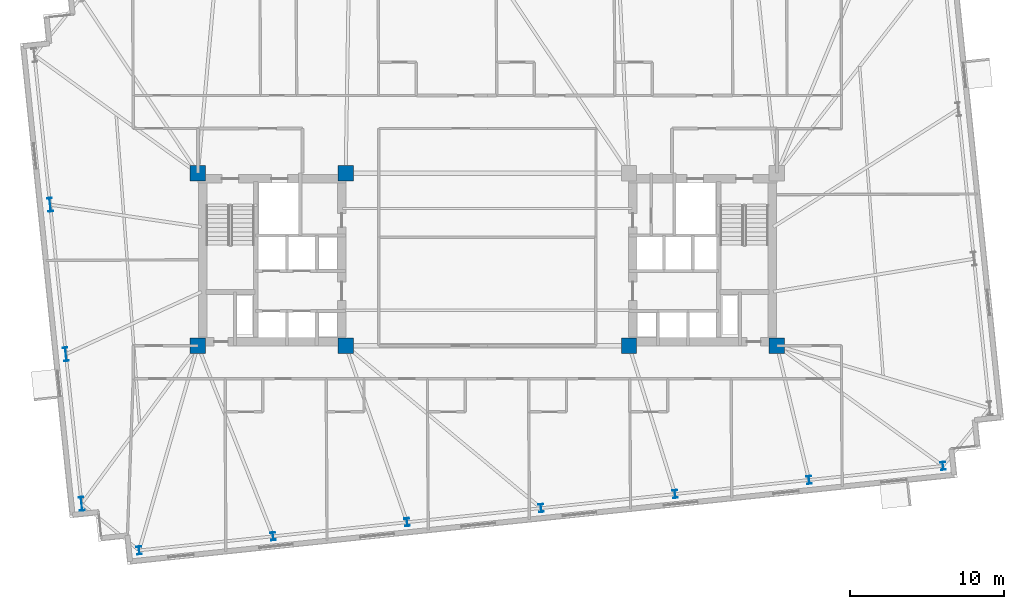
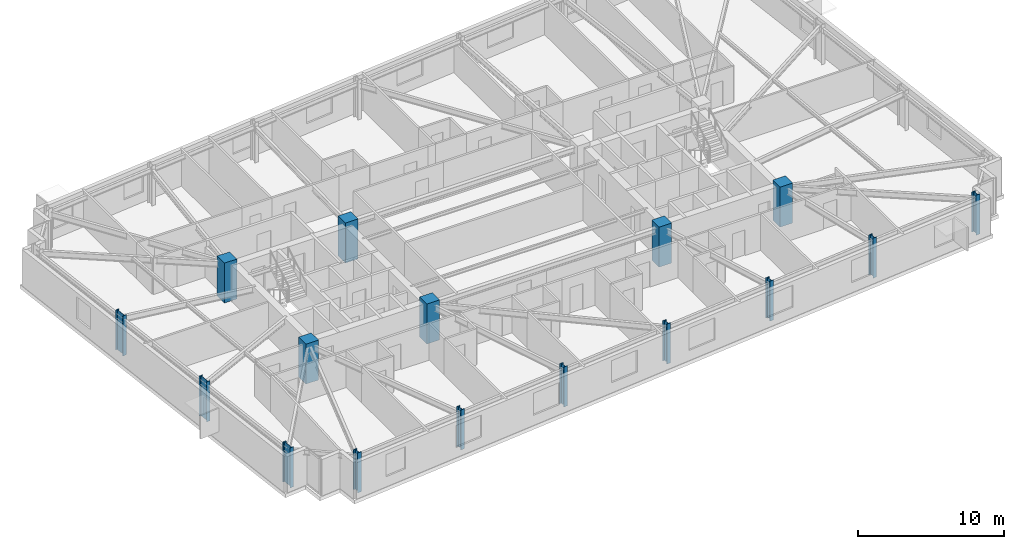
# One storey, part 1 of 18: 16 columns.
"""IFC4 building model written with IfcOpenShell, lengths in metres."""

from ifc_helpers import new_model, si_unit, direction, frame, origin, origin_2d, place, context, subcontext, project, spatial, rectangle, i_section, extrude, material, material_profile, profile_set, type_object, element, save


model = new_model("IFC4")

# Units and contexts
model_context = context("Model", 3, precision=1e-05, world=origin(), true_north=direction((0.0, 1.0)))
body_context = subcontext(model_context, "Body", "Model", "MODEL_VIEW")
ifc_project = project(units=[si_unit("LENGTHUNIT", "METRE"), si_unit("AREAUNIT", "SQUARE_METRE"), si_unit("VOLUMEUNIT", "CUBIC_METRE"), si_unit("PLANEANGLEUNIT", "RADIAN"), si_unit("MASSUNIT", "GRAM", prefix="KILO")], contexts=[model_context])

# Site, building, storey
site_placement = place(None, origin())
site = spatial("IfcSite", under=ifc_project, at=site_placement, CompositionType="ELEMENT")
building_placement = place(site_placement, origin())
building = spatial("IfcBuilding", under=site, at=building_placement, Name="Qobustan Lattice House", CompositionType="ELEMENT")
storey_placement = place(building_placement, frame((0.0, 0.0, 119.199951171875)))
storey = spatial("IfcBuildingStorey", under=building, at=storey_placement, Name="L33", CompositionType="ELEMENT", Elevation=119.199951171875)

# Columns
ifc_material_1 = material(Name="Concrete C60/75", Category="concrete")
ifc_material_profile_1 = material_profile(ifc_material_1, rectangle(XDim=1.0, YDim=1.0, at=origin_2d()), Name="RC1000x1000")
ifc_profile_set_1 = profile_set([ifc_material_profile_1], Name="Concrete C60/75")
column_type_1 = type_object("IfcColumnType", Name="COL-RC-1000", PredefinedType="COLUMN", material=ifc_profile_set_1)
for number, where, z_axis, x_axis, name in (
    (1, (-18.800048828125, -5.60009765625, 0.0), (0.0, 0.0, 1.0), (1.0, 0.0, 0.0), "L33 core mega-column CW-SW"),
    (2, (-18.800048828125, 5.60009765625, 0.0), (0.0, 0.0, 1.0), (1.0, 0.0, 0.0), "L33 core mega-column CW-NW"),
    (3, (-9.199951171875, -5.60009765625, 0.0), (0.0, 0.0, 1.0), (1.0, 0.0, 0.0), "L33 core mega-column CW-SE"),
    (4, (-9.199951171875, 5.60009765625, 0.0), (0.0, 0.0, 1.0), (1.0, 0.0, 0.0), "L33 core mega-column CW-NE"),
    (5, (9.199951171875, -5.60009765625, 0.0), (0.0, 0.0, 1.0), (1.0, 0.0, 0.0), "L33 core mega-column CE-SW"),
    (6, (18.800048828125, -5.60009765625, 0.0), (0.0, 0.0, 1.0), (1.0, 0.0, 0.0), "L33 core mega-column CE-SE"),
):
    element("IfcColumn", number, at=place(storey_placement, frame(where, z_axis=z_axis, x_axis=x_axis)), inside=storey, type_object=column_type_1, Name=name, PredefinedType="COLUMN", context=body_context, shape_type="SweptSolid", body=[
        extrude(rectangle(XDim=1.0, YDim=1.0, at=origin_2d()), origin(), (0.0, 0.0, 1.0), 3.35009765625),
    ])
ifc_material_2 = material(Name="Steel S355", Category="steel")
ifc_material_profile_2 = material_profile(ifc_material_2, i_section(OverallWidth=0.300048828125, OverallDepth=0.89990234375, WebThickness=0.0185546875, FlangeThickness=0.034912109375, FilletRadius=0.030029296875, at=origin_2d()), Name="HEB900")
ifc_profile_set_2 = profile_set([ifc_material_profile_2], Name="Steel S355")
column_type_2 = type_object("IfcColumnType", Name="COL-ST-HEB900", PredefinedType="COLUMN", material=ifc_profile_set_2)
for number, where, z_axis, x_axis, name in (
    (7, (-28.39794921875, 3.557373046875, 0.0), (0.0, 0.0, 1.0), (0.994521895368, 0.104528463268, 0.0), "L33 B2 perimeter column W2"),
    (8, (-27.377197265625, -6.156005859375, 0.0), (0.0, 0.0, 1.0), (0.994521895368, 0.104528463268, 0.0), "L33 B2 perimeter column W3"),
    (9, (-26.356201171875, -15.868896484375, 0.0), (0.0, 0.0, 1.0), (0.994521895368, 0.104528463268, 0.0), "L33 B2 perimeter column W4"),
):
    element("IfcColumn", number, at=place(storey_placement, frame(where, z_axis=z_axis, x_axis=x_axis)), inside=storey, type_object=column_type_2, Name=name, PredefinedType="COLUMN", context=body_context, shape_type="SweptSolid", body=[
        extrude(i_section(OverallWidth=0.300048828125, OverallDepth=0.89990234375, WebThickness=0.0185546875, FlangeThickness=0.034912109375, FilletRadius=0.030029296875, at=origin_2d()), origin(), (0.0, 0.0, 1.0), 3.35009765625),
    ])
ifc_material_3 = material(Name="Steel S355", Category="steel")
ifc_material_profile_3 = material_profile(ifc_material_3, i_section(OverallWidth=0.305908203125, OverallDepth=0.52392578125, WebThickness=0.02099609375, FlangeThickness=0.0400390625, FilletRadius=0.027099609375, at=origin_2d()), Name="HEM500")
ifc_profile_set_3 = profile_set([ifc_material_profile_3], Name="Steel S355")
column_type_3 = type_object("IfcColumnType", Name="COL-ST-HEM500", PredefinedType="COLUMN", material=ifc_profile_set_3)
for number, where, z_axis, x_axis, name in (
    (10, (-22.619384765625, -18.89501953125, 0.0), (0.0, 0.0, 1.0), (0.994521895368, 0.104528463268, 0.0), "L33 B2 perimeter column S1"),
    (11, (-13.91748046875, -17.98046875, 0.0), (0.0, 0.0, 1.0), (0.994521895368, 0.104528463268, 0.0), "L33 B2 perimeter column S2"),
    (12, (-5.21533203125, -17.065673828125, 0.0), (0.0, 0.0, 1.0), (0.994521895368, 0.104528463268, 0.0), "L33 B2 perimeter column S3"),
    (13, (3.48681640625, -16.151123046875, 0.0), (0.0, 0.0, 1.0), (0.994521895368, 0.104528463268, 0.0), "L33 B2 perimeter column S4"),
    (14, (12.188720703125, -15.236572265625, 0.0), (0.0, 0.0, 1.0), (0.994521895368, 0.104528463268, 0.0), "L33 B2 perimeter column S5"),
    (15, (20.890869140625, -14.322021484375, 0.0), (0.0, 0.0, 1.0), (0.994521895368, 0.104528463268, 0.0), "L33 B2 perimeter column S6"),
    (16, (29.593017578125, -13.4072265625, 0.0), (0.0, 0.0, 1.0), (0.994521895368, 0.104528463268, 0.0), "L33 B2 perimeter column S7"),
):
    element("IfcColumn", number, at=place(storey_placement, frame(where, z_axis=z_axis, x_axis=x_axis)), inside=storey, type_object=column_type_3, Name=name, PredefinedType="COLUMN", context=body_context, shape_type="SweptSolid", body=[
        extrude(i_section(OverallWidth=0.305908203125, OverallDepth=0.52392578125, WebThickness=0.02099609375, FlangeThickness=0.0400390625, FilletRadius=0.027099609375, at=origin_2d()), origin(), (0.0, 0.0, 1.0), 3.35009765625),
    ])

save(model, "model.ifc")
